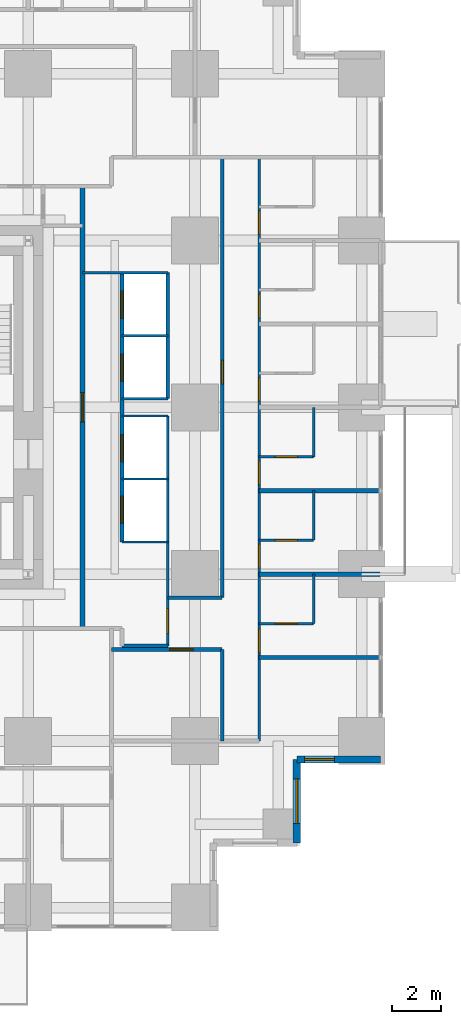
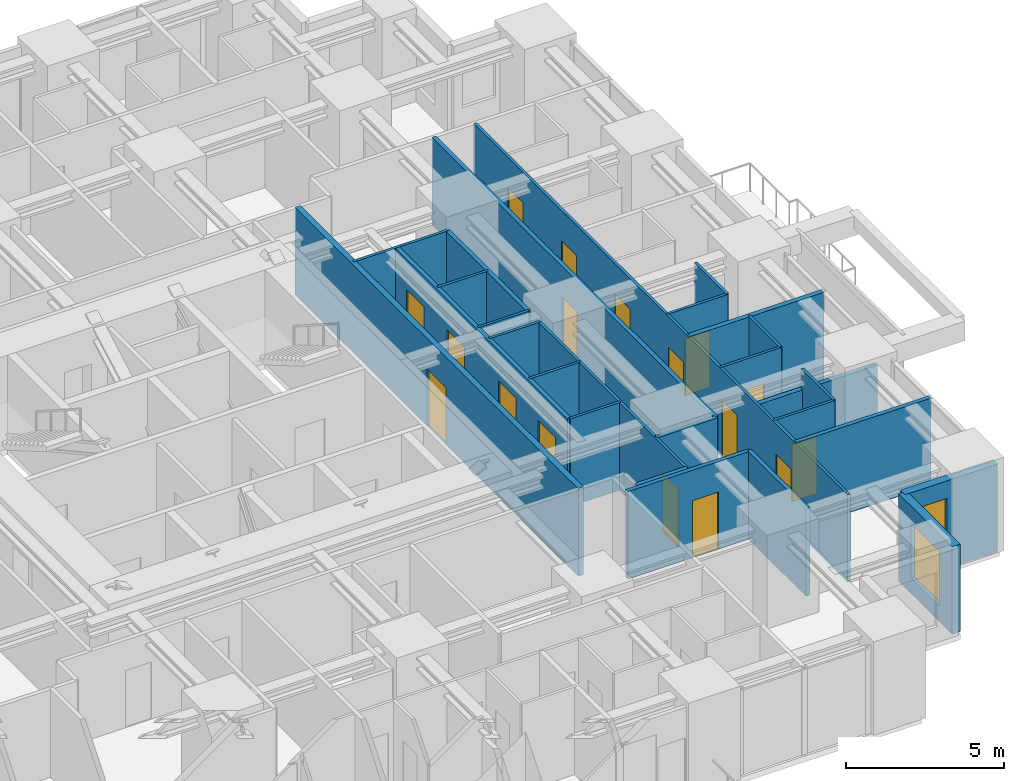
# One storey, part 11 of 15: 27 walls, 17 doors, 2 windows, 19 openings.
"""IFC4 building model written with IfcOpenShell, lengths in metres."""

import ifcopenshell
import ifcopenshell.guid

model = None  # the IFC model being written
_history = None  # IfcOwnerHistory: only IFC2X3 demands one
_inside = {}  # id of a spatial element -> (the spatial element, [elements in it])
_under = {}  # id of a project, library or spatial element -> (it, [spatial elements below it])
_declared = {}  # id of a project -> (the project, [libraries it declares])
_typed = {}  # id of a type object -> (the type object, [elements of that type])
_made_of = {}  # id of a material, layer set ... -> (it, [elements and type objects made of it])


def new_model(schema):
    """Start an empty IFC model of exactly this schema.

    Asked for "IFC4X3", IfcOpenShell would pick the latest addendum, in which some entities
    have other attributes; the version numbers below select the first issue.
    IFC2X3 requires an IfcOwnerHistory on every rooted entity: one is made here for all.
    """
    global model, _history
    if schema == "IFC4X3":
        model = ifcopenshell.file(schema_version=(4, 3, 0, 0))
    else:
        model = ifcopenshell.file(schema=schema)
    _inside.clear()
    _under.clear()
    _declared.clear()
    _typed.clear()
    _made_of.clear()
    _history = None
    if model.schema == "IFC2X3":
        org = make("IfcOrganization", Name="unknown")
        user = make(
            "IfcPersonAndOrganization",
            ThePerson=make("IfcPerson", FamilyName="unknown"),
            TheOrganization=org,
        )
        app = make(
            "IfcApplication",
            ApplicationDeveloper=org,
            Version="unknown",
            ApplicationFullName="unknown",
            ApplicationIdentifier="unknown",
        )
        _history = make(
            "IfcOwnerHistory",
            OwningUser=user,
            OwningApplication=app,
            ChangeAction="ADDED",
            CreationDate=0,
        )
    return model


def make(cls, **values):
    """One entity of the class cls with the attributes given. An attribute that is None is left unset."""
    return model.create_entity(
        cls, **{name: value for name, value in values.items() if value is not None}
    )


def rooted(cls, **values):
    """An entity with a GlobalId (a new one), such as an element, a storey or a relation."""
    return make(cls, GlobalId=ifcopenshell.guid.new(), OwnerHistory=_history, **values)


def si_unit(unit_type, name, prefix=None):
    """IfcSIUnit, for example si_unit("LENGTHUNIT", "METRE", prefix="MILLI")."""
    return make("IfcSIUnit", UnitType=unit_type, Prefix=prefix, Name=name)


def assignment(units):
    """IfcUnitAssignment: the units of a project."""
    return None if units is None else make("IfcUnitAssignment", Units=units)


def point(xyz):
    """IfcCartesianPoint."""
    return None if xyz is None else make("IfcCartesianPoint", Coordinates=xyz)


def direction(xyz):
    """IfcDirection."""
    return None if xyz is None else make("IfcDirection", DirectionRatios=xyz)


def frame(location, z_axis=None, x_axis=None):
    """IfcAxis2Placement3D, a coordinate frame: its origin and axes. An axis left out is left unset."""
    return make(
        "IfcAxis2Placement3D",
        Location=point(location),
        Axis=direction(z_axis),
        RefDirection=direction(x_axis),
    )


def frame_2d(location, x_axis=None):
    """IfcAxis2Placement2D, a coordinate frame in the plane: its origin and x axis."""
    return make(
        "IfcAxis2Placement2D", Location=point(location), RefDirection=direction(x_axis)
    )


def origin():
    """The frame at (0, 0, 0) with its axes left unset."""
    return frame((0.0, 0.0, 0.0))


def place(relative_to, where):
    """IfcLocalPlacement: puts the frame where relative to a parent placement (None: the world)."""
    return make(
        "IfcLocalPlacement", PlacementRelTo=relative_to, RelativePlacement=where
    )


def context(
    kind, dimensions, precision=None, world=None, true_north=None, identifier=None
):
    """IfcGeometricRepresentationContext, for example the 3D "Model" context."""
    return make(
        "IfcGeometricRepresentationContext",
        ContextIdentifier=identifier,
        ContextType=kind,
        CoordinateSpaceDimension=dimensions,
        Precision=precision,
        WorldCoordinateSystem=world,
        TrueNorth=true_north,
    )


def subcontext(parent, identifier, kind, view, scale=None):
    """IfcGeometricRepresentationSubContext, for example "Body" below "Model"."""
    return make(
        "IfcGeometricRepresentationSubContext",
        ContextIdentifier=identifier,
        ContextType=kind,
        ParentContext=parent,
        TargetScale=scale,
        TargetView=view,
    )


def project(units=None, contexts=None):
    """IfcProject with its units and contexts."""
    return rooted(
        "IfcProject",
        Name="project",
        RepresentationContexts=contexts,
        UnitsInContext=assignment(units),
    )


def spatial(cls, under=None, at=None, **own):
    """A site, building, storey or space (cls), placed at a placement, below another one or the project."""
    s = rooted(cls, ObjectPlacement=at, **own)
    if under is not None:
        _under.setdefault(under.id(), (under, []))[1].append(s)
    return s


def profile(cls, at=None, kind="AREA", **sizes):
    """A parametric profile (cls). Its sizes go by their IFC names, for example OverallWidth=200.0."""
    return make(cls, ProfileType=kind, Position=at, **sizes)


def rectangle(**sizes):
    """IfcRectangleProfileDef."""
    return profile("IfcRectangleProfileDef", **sizes)


def extrude(swept, where, along, depth):
    """IfcExtrudedAreaSolid: the profile swept, set in the frame where, extruded along a direction by depth."""
    return make(
        "IfcExtrudedAreaSolid",
        SweptArea=swept,
        Position=where,
        ExtrudedDirection=direction(along),
        Depth=depth,
    )


def shape(context_of_items, identifier, shape_type, items):
    """IfcShapeRepresentation: the items that make up one representation, for example the "Body"."""
    return make(
        "IfcShapeRepresentation",
        ContextOfItems=context_of_items,
        RepresentationIdentifier=identifier,
        RepresentationType=shape_type,
        Items=items,
    )


def material(Name=None, Category=None):
    """IfcMaterial."""
    return make("IfcMaterial", Name=Name, Category=Category)


def layer(
    of_material, thickness, ventilated=None, Name=None, Category=None, Priority=None
):
    """IfcMaterialLayer: one layer of a wall or slab, of a material (None: an air gap)."""
    return make(
        "IfcMaterialLayer",
        Material=of_material,
        LayerThickness=thickness,
        IsVentilated=ventilated,
        Name=Name,
        Category=Category,
        Priority=Priority,
    )


def layer_set(layers, Name=None):
    """IfcMaterialLayerSet."""
    return make("IfcMaterialLayerSet", MaterialLayers=layers, LayerSetName=Name)


def made_of(thing, what):
    """Note that an element or type object is made of a material, layer set ...; save() writes the relation."""
    if what is not None:
        _made_of.setdefault(what.id(), (what, []))[1].append(thing)
    return thing


def type_object(cls, material=None, **own):
    """A type object (cls), such as IfcWallType, which elements share."""
    return made_of(rooted(cls, **own), material)


def element(
    cls,
    number,
    at=None,
    inside=None,
    cuts=None,
    type_object=None,
    material=None,
    context=None,
    identifier="Body",
    shape_type=None,
    held_by="IfcProductDefinitionShape",
    body=None,
    shapes=None,
    **own,
):
    """One element of the class cls, such as IfcWall. Its Tag is "e" and its number.

    at: its placement. inside: the storey or other place that contains it. cuts: it is an
    opening in that element (IfcRelVoidsElement). A single representation is given by context,
    identifier, shape_type and body (its items); several are given by shapes. held_by: the class
    of the entity that holds the representations. save() writes the other relations.
    """
    e = rooted(cls, Tag="e%d" % number, ObjectPlacement=at, **own)
    if body is not None:
        shapes = [shape(context, identifier, shape_type, body)]
    if shapes is not None:
        e.Representation = make(held_by, Representations=shapes)
    if inside is not None:
        _inside.setdefault(inside.id(), (inside, []))[1].append(e)
    if cuts is not None:
        rooted(
            "IfcRelVoidsElement", RelatingBuildingElement=cuts, RelatedOpeningElement=e
        )
    if type_object is not None:
        _typed.setdefault(type_object.id(), (type_object, []))[1].append(e)
    return made_of(e, material)


def fill(opening, filler):
    """IfcRelFillsElement: the door or window that sits in an opening."""
    return rooted(
        "IfcRelFillsElement",
        RelatingOpeningElement=opening,
        RelatedBuildingElement=filler,
    )


def aggregate(whole, parts):
    """IfcRelAggregates: a whole, such as a stair, and the parts it consists of."""
    return rooted("IfcRelAggregates", RelatingObject=whole, RelatedObjects=parts)


def save(model, path):
    """Write the relations noted so far, then the file.

    IfcRelAggregates (storeys below a building ...), IfcRelContainedInSpatialStructure (elements
    in a storey), IfcRelDefinesByType, IfcRelAssociatesMaterial and IfcRelDeclares: one each for
    every whole, place, type object, material and project.
    """
    for whole, parts in _under.values():
        aggregate(whole, parts)
    for where, things in _inside.values():
        rooted(
            "IfcRelContainedInSpatialStructure",
            RelatedElements=things,
            RelatingStructure=where,
        )
    for kind, things in _typed.values():
        rooted("IfcRelDefinesByType", RelatedObjects=things, RelatingType=kind)
    for what, things in _made_of.values():
        rooted("IfcRelAssociatesMaterial", RelatedObjects=things, RelatingMaterial=what)
    for by, libraries in _declared.values():
        rooted("IfcRelDeclares", RelatingContext=by, RelatedDefinitions=libraries)
    model.write(path)


model = new_model("IFC4")

# Units and contexts
model_context = context("Model", 3, precision=1e-05, world=origin(), true_north=direction((0.0, 1.0)))
body_context = subcontext(model_context, "Body", "Model", "MODEL_VIEW")
ifc_project = project(units=[si_unit("LENGTHUNIT", "METRE"), si_unit("AREAUNIT", "SQUARE_METRE"), si_unit("VOLUMEUNIT", "CUBIC_METRE"), si_unit("PLANEANGLEUNIT", "RADIAN"), si_unit("MASSUNIT", "GRAM", prefix="KILO")], contexts=[model_context])

# Site, building, storey
site_placement = place(None, origin())
site = spatial("IfcSite", under=ifc_project, at=site_placement, CompositionType="ELEMENT")
building_placement = place(site_placement, origin())
building = spatial("IfcBuilding", under=site, at=building_placement, Name="Nyansa Garden Tower", CompositionType="ELEMENT")
storey_placement = place(building_placement, frame((0.0, 0.0, 36.0)))
storey = spatial("IfcBuildingStorey", under=building, at=storey_placement, Name="L09", CompositionType="ELEMENT", Elevation=36.0)

# Walls
ifc_material_1 = material(Name="Dense blockwork, plastered both sides, 55 dB", Category="masonry")
ifc_layer_1 = layer(ifc_material_1, 0.175048828125)
ifc_layer_set_1 = layer_set([ifc_layer_1], Name="Acoustic party wall PW175")
wall_type_1 = type_object("IfcWallType", Name="Acoustic party wall PW175", PredefinedType="PARTITIONING", material=ifc_layer_set_1)
wall_1_placement = place(storey_placement, frame((36.35009765625, 13.5, 0.0), z_axis=(0.0, 0.0, 1.0), x_axis=(1.0, 0.0, 0.0)))
element("IfcWall", 1, at=wall_1_placement, inside=storey, type_object=wall_type_1, Name="Party wall", PredefinedType="PARTITIONING", context=body_context, shape_type="SweptSolid", body=[
    extrude(rectangle(XDim=4.8837890625, YDim=0.175048828125, at=frame_2d((2.44189453125, 0.0))), origin(), (0.0, 0.0, 1.0), 2.610107421875),
])
wall_2_placement = place(storey_placement, frame((36.35009765625, 16.875, 0.0), z_axis=(0.0, 0.0, 1.0), x_axis=(1.0, 0.0, 0.0)))
element("IfcWall", 2, at=wall_2_placement, inside=storey, type_object=wall_type_1, Name="Party wall", PredefinedType="PARTITIONING", context=body_context, shape_type="SweptSolid", body=[
    extrude(rectangle(XDim=4.8837890625, YDim=0.175048828125, at=frame_2d((2.44189453125, 0.0))), origin(), (0.0, 0.0, 1.0), 3.375),
])

# Wall, opening, door
ifc_material_2 = material(Name="Concrete blockwork, plastered, 60 minute fire resisting", Category="masonry")
ifc_layer_2 = layer(ifc_material_2, 0.199951171875)
ifc_layer_set_2 = layer_set([ifc_layer_2], Name="Corridor wall FW200")
wall_type_2 = type_object("IfcWallType", Name="Corridor wall FW200", PredefinedType="PARTITIONING", material=ifc_layer_set_2)
wall_3_placement = place(storey_placement, frame((29.199951171875, 11.300048828125, 0.0), z_axis=(0.0, 0.0, 1.0), x_axis=(0.0, 1.0, 0.0)))
wall_3 = element("IfcWall", 3, at=wall_3_placement, inside=storey, type_object=wall_type_2, Name="Corridor wall", PredefinedType="PARTITIONING", context=body_context, shape_type="SweptSolid", body=[
    extrude(rectangle(XDim=17.89990234375, YDim=0.199951171875, at=frame_2d((8.949951171875, 0.0))), origin(), (0.0, 0.0, 1.0), 3.375),
])
opening_1_placement = place(wall_3_placement, frame((8.35009765625, 0.0, 0.0)))
opening_1 = element("IfcOpeningElement", 4, at=opening_1_placement, cuts=wall_3, Name="Opening D06", PredefinedType="OPENING", context=body_context, shape_type="SweptSolid", body=[
    extrude(rectangle(XDim=1.199951171875, YDim=2.199951171875, at=frame_2d((0.60009765625, 1.10009765625))), frame((0.0, 0.10986328125, 0.0), z_axis=(0.0, -1.0, 0.0), x_axis=(1.0, 0.0, 0.0)), (0.0, 0.0, 1.0), 0.219970703125),
])
ifc_material_3 = material(Name="Steel door, 120 minute fire resisting", Category="steel")
door_type_1 = type_object("IfcDoorType", Name="Lobby door D06 1200x2200", OperationType="DOUBLE_DOOR_SINGLE_SWING", PredefinedType="DOOR", material=ifc_material_3)
door_1_placement = place(opening_1_placement, origin())
door_1 = element("IfcDoor", 5, at=door_1_placement, inside=storey, type_object=door_type_1, Name="Low-rise lift lobby door", OperationType="DOUBLE_DOOR_SINGLE_SWING", OverallHeight=2.199951171875, OverallWidth=1.199951171875, PredefinedType="DOOR", context=body_context, shape_type="SweptSolid", body=[
    extrude(rectangle(XDim=1.199951171875, YDim=2.199951171875, at=frame_2d((0.60009765625, 1.10009765625))), frame((0.0, 0.02490234375, 0.0), z_axis=(0.0, -1.0, 0.0), x_axis=(1.0, 0.0, 0.0)), (0.0, 0.0, 1.0), 0.050048828125),
])
fill(opening_1, door_1)

# Walls
ifc_material_4 = material(Name="Steel-stud shaft wall, two layers fire-rated board, EI 120", Category="steel")
ifc_layer_3 = layer(ifc_material_4, 0.10009765625)
ifc_layer_set_3 = layer_set([ifc_layer_3], Name="Lift shaft wall SW100")
wall_type_3 = type_object("IfcWallType", Name="Lift shaft wall SW100", PredefinedType="SHEAR", material=ifc_layer_set_3)
wall_4_placement = place(storey_placement, frame((29.199951171875, 25.699951171875, 0.0), z_axis=(0.0, 0.0, 1.0), x_axis=(1.0, 0.0, 0.0)))
element("IfcWall", 6, at=wall_4_placement, inside=storey, type_object=wall_type_3, Name="Lift shaft wall", PredefinedType="SHEAR", context=body_context, shape_type="SweptSolid", body=[
    extrude(rectangle(XDim=3.449951171875, YDim=0.10009765625, at=frame_2d((1.72509765625, 0.0))), origin(), (0.0, 0.0, 1.0), 3.375),
])
for number, where, z_axis, x_axis, name in (
    (7, (30.800048828125, 14.800048828125, 0.0), (0.0, 0.0, 1.0), (1.0, 0.0, 0.0), "Lift shaft wall"),
    (8, (30.800048828125, 17.35009765625, 0.0), (0.0, 0.0, 1.0), (1.0, 0.0, 0.0), "Lift shaft wall"),
    (9, (30.800048828125, 19.89990234375, 0.0), (0.0, 0.0, 1.0), (1.0, 0.0, 0.0), "Lift shaft wall"),
    (10, (30.800048828125, 20.60009765625, 0.0), (0.0, 0.0, 1.0), (1.0, 0.0, 0.0), "Lift shaft wall"),
    (11, (30.800048828125, 23.14990234375, 0.0), (0.0, 0.0, 1.0), (1.0, 0.0, 0.0), "Lift shaft wall"),
):
    element("IfcWall", number, at=place(storey_placement, frame(where, z_axis=z_axis, x_axis=x_axis)), inside=storey, type_object=wall_type_3, Name=name, PredefinedType="SHEAR", context=body_context, shape_type="SweptSolid", body=[
        extrude(rectangle(XDim=1.849853515625, YDim=0.10009765625, at=frame_2d((0.9248046875, 0.0))), origin(), (0.0, 0.0, 1.0), 3.375),
    ])

# Wall, opening, door
wall_5_placement = place(storey_placement, frame((32.64990234375, 10.60009765625, 0.0), z_axis=(0.0, 0.0, 1.0), x_axis=(0.0, 1.0, 0.0)))
wall_5 = element("IfcWall", 12, at=wall_5_placement, inside=storey, type_object=wall_type_3, Name="Lift shaft wall", PredefinedType="SHEAR", context=body_context, shape_type="SweptSolid", body=[
    extrude(rectangle(XDim=9.2998046875, YDim=0.10009765625, at=frame_2d((4.64990234375, 0.0))), origin(), (0.0, 0.0, 1.0), 3.375),
])
opening_2_placement = place(wall_5_placement, frame((0.5, 0.0, 0.0)))
opening_2 = element("IfcOpeningElement", 13, at=opening_2_placement, cuts=wall_5, Name="Opening D03", PredefinedType="OPENING", context=body_context, shape_type="SweptSolid", body=[
    extrude(rectangle(XDim=1.0, YDim=2.199951171875, at=frame_2d((0.5, 1.10009765625))), frame((0.0, 0.06005859375, 0.0), z_axis=(0.0, -1.0, 0.0), x_axis=(1.0, 0.0, 0.0)), (0.0, 0.0, 1.0), 0.1201171875),
])
ifc_material_5 = material(Name="Timber flush door, 60 minute fire resisting", Category="wood")
door_type_2 = type_object("IfcDoorType", Name="Cluster entrance door D03 1000x2200", OperationType="SINGLE_SWING_LEFT", PredefinedType="DOOR", material=ifc_material_5)
door_2_placement = place(opening_2_placement, origin())
door_2 = element("IfcDoor", 14, at=door_2_placement, inside=storey, type_object=door_type_2, Name="Door L09-051", OperationType="SINGLE_SWING_LEFT", OverallHeight=2.199951171875, OverallWidth=1.0, PredefinedType="DOOR", context=body_context, shape_type="SweptSolid", body=[
    extrude(rectangle(XDim=1.0, YDim=2.199951171875, at=frame_2d((0.5, 1.10009765625))), frame((0.0, 0.02490234375, 0.0), z_axis=(0.0, -1.0, 0.0), x_axis=(1.0, 0.0, 0.0)), (0.0, 0.0, 1.0), 0.050048828125),
])
fill(opening_2, door_2)

ifc_material_6 = material(Name="Blockwork, plastered both sides", Category="masonry")
ifc_layer_4 = layer(ifc_material_6, 0.14990234375)
ifc_layer_set_4 = layer_set([ifc_layer_4], Name="Partition PW150")
wall_type_4 = type_object("IfcWallType", Name="Partition PW150", PredefinedType="PARTITIONING", material=ifc_layer_set_4)
wall_6_placement = place(storey_placement, frame((30.375, 10.449951171875, 0.0), z_axis=(0.0, 0.0, 1.0), x_axis=(1.0, 0.0, 0.0)))
wall_6 = element("IfcWall", 15, at=wall_6_placement, inside=storey, type_object=wall_type_4, Name="Partition", PredefinedType="PARTITIONING", context=body_context, shape_type="SweptSolid", body=[
    extrude(rectangle(XDim=4.47509765625, YDim=0.14990234375, at=frame_2d((2.237548828125, 0.0))), origin(), (0.0, 0.0, 1.0), 3.375),
])
opening_3_placement = place(wall_6_placement, frame((2.35009765625, 0.0, 0.0)))
opening_3 = element("IfcOpeningElement", 16, at=opening_3_placement, cuts=wall_6, Name="Opening D01", PredefinedType="OPENING", context=body_context, shape_type="SweptSolid", body=[
    extrude(rectangle(XDim=0.949951171875, YDim=2.199951171875, at=frame_2d((0.47509765625, 1.10009765625))), frame((0.0, 0.0849609375, 0.0), z_axis=(0.0, -1.0, 0.0), x_axis=(1.0, 0.0, 0.0)), (0.0, 0.0, 1.0), 0.169921875),
])
ifc_material_7 = material(Name="Timber flush door, 30 minute fire resisting", Category="wood")
door_type_3 = type_object("IfcDoorType", Name="Bedroom door D01 950x2200", OperationType="SINGLE_SWING_LEFT", PredefinedType="DOOR", material=ifc_material_7)
door_3_placement = place(opening_3_placement, origin())
door_3 = element("IfcDoor", 17, at=door_3_placement, inside=storey, type_object=door_type_3, Name="Door L09-053", OperationType="SINGLE_SWING_LEFT", OverallHeight=2.199951171875, OverallWidth=0.949951171875, PredefinedType="DOOR", context=body_context, shape_type="SweptSolid", body=[
    extrude(rectangle(XDim=0.949951171875, YDim=2.199951171875, at=frame_2d((0.47509765625, 1.10009765625))), frame((0.0, 0.02490234375, 0.0), z_axis=(0.0, -1.0, 0.0), x_axis=(1.0, 0.0, 0.0)), (0.0, 0.0, 1.0), 0.050048828125),
])
fill(opening_3, door_3)

# Wall
wall_7_placement = place(storey_placement, frame((30.800048828125, 10.60009765625, 0.0), z_axis=(0.0, 0.0, 1.0), x_axis=(1.0, 0.0, 0.0)))
element("IfcWall", 18, at=wall_7_placement, inside=storey, type_object=wall_type_4, Name="Partition", PredefinedType="PARTITIONING", context=body_context, shape_type="SweptSolid", body=[
    extrude(rectangle(XDim=1.849853515625, YDim=0.14990234375, at=frame_2d((0.9248046875, 0.0))), origin(), (0.0, 0.0, 1.0), 3.375),
])

# Wall, openings, doors
wall_8_placement = place(storey_placement, frame((30.800048828125, 14.800048828125, 0.0), z_axis=(0.0, 0.0, 1.0), x_axis=(0.0, 1.0, 0.0)))
wall_8 = element("IfcWall", 19, at=wall_8_placement, inside=storey, type_object=wall_type_4, Name="Partition", PredefinedType="PARTITIONING", context=body_context, shape_type="SweptSolid", body=[
    extrude(rectangle(XDim=10.89990234375, YDim=0.14990234375, at=frame_2d((5.449951171875, 0.0))), origin(), (0.0, 0.0, 1.0), 3.375),
])
opening_4_placement = place(wall_8_placement, frame((0.75, 0.0, 0.0)))
opening_4 = element("IfcOpeningElement", 20, at=opening_4_placement, cuts=wall_8, Name="Opening LD-A", PredefinedType="OPENING", context=body_context, shape_type="SweptSolid", body=[
    extrude(rectangle(XDim=1.10009765625, YDim=2.199951171875, at=frame_2d((0.550048828125, 1.10009765625))), frame((0.0, 0.0849609375, 0.0), z_axis=(0.0, -1.0, 0.0), x_axis=(1.0, 0.0, 0.0)), (0.0, 0.0, 1.0), 0.169921875),
])
opening_5_placement = place(wall_8_placement, frame((3.25, 0.0, 0.0)))
opening_5 = element("IfcOpeningElement", 21, at=opening_5_placement, cuts=wall_8, Name="Opening LD-A", PredefinedType="OPENING", context=body_context, shape_type="SweptSolid", body=[
    extrude(rectangle(XDim=1.10009765625, YDim=2.199951171875, at=frame_2d((0.550048828125, 1.10009765625))), frame((0.0, 0.0849609375, 0.0), z_axis=(0.0, -1.0, 0.0), x_axis=(1.0, 0.0, 0.0)), (0.0, 0.0, 1.0), 0.169921875),
])
opening_6_placement = place(wall_8_placement, frame((6.5, 0.0, 0.0)))
opening_6 = element("IfcOpeningElement", 22, at=opening_6_placement, cuts=wall_8, Name="Opening LD-A", PredefinedType="OPENING", context=body_context, shape_type="SweptSolid", body=[
    extrude(rectangle(XDim=1.10009765625, YDim=2.199951171875, at=frame_2d((0.550048828125, 1.10009765625))), frame((0.0, 0.0849609375, 0.0), z_axis=(0.0, -1.0, 0.0), x_axis=(1.0, 0.0, 0.0)), (0.0, 0.0, 1.0), 0.169921875),
])
opening_7_placement = place(wall_8_placement, frame((9.050048828125, 0.0, 0.0)))
opening_7 = element("IfcOpeningElement", 23, at=opening_7_placement, cuts=wall_8, Name="Opening LD-A", PredefinedType="OPENING", context=body_context, shape_type="SweptSolid", body=[
    extrude(rectangle(XDim=1.10009765625, YDim=2.199951171875, at=frame_2d((0.550048828125, 1.10009765625))), frame((0.0, 0.0849609375, 0.0), z_axis=(0.0, -1.0, 0.0), x_axis=(1.0, 0.0, 0.0)), (0.0, 0.0, 1.0), 0.169921875),
])
ifc_material_8 = material(Name="Stainless steel centre-opening landing door of the low-rise lift, E 120", Category="steel")
door_type_4 = type_object("IfcDoorType", Name="Lift landing door LD-A 1100x2200", OperationType="DOUBLE_DOOR_SLIDING", PredefinedType="DOOR", material=ifc_material_8)
door_4_placement = place(opening_4_placement, origin())
door_4 = element("IfcDoor", 24, at=door_4_placement, inside=storey, type_object=door_type_4, Name="Landing door A1", OperationType="DOUBLE_DOOR_SLIDING", OverallHeight=2.199951171875, OverallWidth=1.10009765625, PredefinedType="DOOR", context=body_context, shape_type="SweptSolid", body=[
    extrude(rectangle(XDim=1.10009765625, YDim=2.199951171875, at=frame_2d((0.550048828125, 1.10009765625))), frame((0.0, 0.02490234375, 0.0), z_axis=(0.0, -1.0, 0.0), x_axis=(1.0, 0.0, 0.0)), (0.0, 0.0, 1.0), 0.050048828125),
])
fill(opening_4, door_4)
door_5_placement = place(opening_5_placement, origin())
door_5 = element("IfcDoor", 25, at=door_5_placement, inside=storey, type_object=door_type_4, Name="Landing door A2", OperationType="DOUBLE_DOOR_SLIDING", OverallHeight=2.199951171875, OverallWidth=1.10009765625, PredefinedType="DOOR", context=body_context, shape_type="SweptSolid", body=[
    extrude(rectangle(XDim=1.10009765625, YDim=2.199951171875, at=frame_2d((0.550048828125, 1.10009765625))), frame((0.0, 0.02490234375, 0.0), z_axis=(0.0, -1.0, 0.0), x_axis=(1.0, 0.0, 0.0)), (0.0, 0.0, 1.0), 0.050048828125),
])
fill(opening_5, door_5)
door_6_placement = place(opening_6_placement, origin())
door_6 = element("IfcDoor", 26, at=door_6_placement, inside=storey, type_object=door_type_4, Name="Landing door A3", OperationType="DOUBLE_DOOR_SLIDING", OverallHeight=2.199951171875, OverallWidth=1.10009765625, PredefinedType="DOOR", context=body_context, shape_type="SweptSolid", body=[
    extrude(rectangle(XDim=1.10009765625, YDim=2.199951171875, at=frame_2d((0.550048828125, 1.10009765625))), frame((0.0, 0.02490234375, 0.0), z_axis=(0.0, -1.0, 0.0), x_axis=(1.0, 0.0, 0.0)), (0.0, 0.0, 1.0), 0.050048828125),
])
fill(opening_6, door_6)
door_7_placement = place(opening_7_placement, origin())
door_7 = element("IfcDoor", 27, at=door_7_placement, inside=storey, type_object=door_type_4, Name="Landing door A4", OperationType="DOUBLE_DOOR_SLIDING", OverallHeight=2.199951171875, OverallWidth=1.10009765625, PredefinedType="DOOR", context=body_context, shape_type="SweptSolid", body=[
    extrude(rectangle(XDim=1.10009765625, YDim=2.199951171875, at=frame_2d((0.550048828125, 1.10009765625))), frame((0.0, 0.02490234375, 0.0), z_axis=(0.0, -1.0, 0.0), x_axis=(1.0, 0.0, 0.0)), (0.0, 0.0, 1.0), 0.050048828125),
])
fill(opening_7, door_7)

# Walls
wall_9_placement = place(storey_placement, frame((32.64990234375, 12.550048828125, 0.0), z_axis=(0.0, 0.0, 1.0), x_axis=(1.0, 0.0, 0.0)))
element("IfcWall", 28, at=wall_9_placement, inside=storey, type_object=wall_type_4, Name="Partition", PredefinedType="PARTITIONING", context=body_context, shape_type="SweptSolid", body=[
    extrude(rectangle(XDim=2.2001953125, YDim=0.14990234375, at=frame_2d((1.10009765625, 0.0))), origin(), (0.0, 0.0, 1.0), 3.375),
])
wall_10_placement = place(storey_placement, frame((32.64990234375, 20.60009765625, 0.0), z_axis=(0.0, 0.0, 1.0), x_axis=(0.0, 1.0, 0.0)))
element("IfcWall", 29, at=wall_10_placement, inside=storey, type_object=wall_type_4, Name="Partition", PredefinedType="PARTITIONING", context=body_context, shape_type="SweptSolid", body=[
    extrude(rectangle(XDim=5.099853515625, YDim=0.14990234375, at=frame_2d((2.5498046875, 0.0))), origin(), (0.0, 0.0, 1.0), 3.375),
])
wall_11_placement = place(storey_placement, frame((34.85009765625, 6.75, 0.0), z_axis=(0.0, 0.0, 1.0), x_axis=(0.0, 1.0, 0.0)))
element("IfcWall", 30, at=wall_11_placement, inside=storey, type_object=wall_type_4, Name="Partition", PredefinedType="PARTITIONING", context=body_context, shape_type="SweptSolid", body=[
    extrude(rectangle(XDim=3.699951171875, YDim=0.14990234375, at=frame_2d((1.85009765625, 0.0))), origin(), (0.0, 0.0, 1.0), 3.375),
])

# Wall, opening, door
wall_12_placement = place(storey_placement, frame((34.85009765625, 12.550048828125, 0.0), z_axis=(0.0, 0.0, 1.0), x_axis=(0.0, 1.0, 0.0)))
wall_12 = element("IfcWall", 31, at=wall_12_placement, inside=storey, type_object=wall_type_4, Name="Partition", PredefinedType="PARTITIONING", context=body_context, shape_type="SweptSolid", body=[
    extrude(rectangle(XDim=17.824951171875, YDim=0.14990234375, at=frame_2d((8.91259765625, 0.0))), origin(), (0.0, 0.0, 1.0), 3.375),
])
opening_8_placement = place(wall_12_placement, frame((8.64990234375, 0.0, 0.0)))
opening_8 = element("IfcOpeningElement", 32, at=opening_8_placement, cuts=wall_12, Name="Opening D01", PredefinedType="OPENING", context=body_context, shape_type="SweptSolid", body=[
    extrude(rectangle(XDim=0.949951171875, YDim=2.199951171875, at=frame_2d((0.47509765625, 1.10009765625))), frame((0.0, 0.0849609375, 0.0), z_axis=(0.0, -1.0, 0.0), x_axis=(1.0, 0.0, 0.0)), (0.0, 0.0, 1.0), 0.169921875),
])
door_8_placement = place(opening_8_placement, origin())
door_8 = element("IfcDoor", 33, at=door_8_placement, inside=storey, type_object=door_type_3, Name="Door L09-052", OperationType="SINGLE_SWING_LEFT", OverallHeight=2.199951171875, OverallWidth=0.949951171875, PredefinedType="DOOR", context=body_context, shape_type="SweptSolid", body=[
    extrude(rectangle(XDim=0.949951171875, YDim=2.199951171875, at=frame_2d((0.47509765625, 1.10009765625))), frame((0.0, 0.02490234375, 0.0), z_axis=(0.0, -1.0, 0.0), x_axis=(1.0, 0.0, 0.0)), (0.0, 0.0, 1.0), 0.050048828125),
])
fill(opening_8, door_8)

# Wall
wall_13_placement = place(storey_placement, frame((36.35009765625, 10.125, 0.0), z_axis=(0.0, 0.0, 1.0), x_axis=(1.0, 0.0, 0.0)))
element("IfcWall", 34, at=wall_13_placement, inside=storey, type_object=wall_type_4, Name="Partition", PredefinedType="PARTITIONING", context=body_context, shape_type="SweptSolid", body=[
    extrude(rectangle(XDim=4.8837890625, YDim=0.14990234375, at=frame_2d((2.44189453125, 0.0))), origin(), (0.0, 0.0, 1.0), 3.375),
])

# Wall, opening, window
ifc_material_9 = material(Name="Turquoise glazed tile on concrete blockwork", Category="masonry")
ifc_layer_5 = layer(ifc_material_9, 0.300048828125)
ifc_layer_set_5 = layer_set([ifc_layer_5], Name="Tiled corner wall TW300")
wall_type_5 = type_object("IfcWallType", Name="Tiled corner wall TW300", PredefinedType="SOLIDWALL", material=ifc_layer_set_5)
wall_14_placement = place(storey_placement, frame((37.875, 2.625, 0.0), z_axis=(0.0, 0.0, 1.0), x_axis=(0.0, 1.0, 0.0)))
wall_14 = element("IfcWall", 35, at=wall_14_placement, inside=storey, type_object=wall_type_5, Name="Tiled corner wall L09", PredefinedType="SOLIDWALL", context=body_context, shape_type="SweptSolid", body=[
    extrude(rectangle(XDim=3.375, YDim=0.300048828125, at=frame_2d((1.6875, 0.0))), origin(), (0.0, 0.0, 1.0), 3.375),
])
opening_9_placement = place(wall_14_placement, frame((0.78759765625, 0.0, 0.60009765625)))
opening_9 = element("IfcOpeningElement", 36, at=opening_9_placement, cuts=wall_14, Name="Opening W2", PredefinedType="OPENING", context=body_context, shape_type="SweptSolid", body=[
    extrude(rectangle(XDim=1.800048828125, YDim=2.10009765625, at=frame_2d((0.89990234375, 1.050048828125))), frame((0.0, 0.159912109375, 0.0), z_axis=(0.0, -1.0, 0.0), x_axis=(1.0, 0.0, 0.0)), (0.0, 0.0, 1.0), 0.320068359375),
])
ifc_material_10 = material(Name="Black aluminium frame, dark tinted double glazing", Category="aluminium")
window_type_1 = type_object("IfcWindowType", Name="Window W2 1800x2100", PartitioningType="SINGLE_PANEL", PredefinedType="WINDOW", material=ifc_material_10)
window_1_placement = place(opening_9_placement, origin())
window_1 = element("IfcWindow", 37, at=window_1_placement, inside=storey, type_object=window_type_1, Name="Corner window L09", OverallHeight=2.10009765625, OverallWidth=1.800048828125, PartitioningType="SINGLE_PANEL", PredefinedType="WINDOW", context=body_context, shape_type="SweptSolid", body=[
    extrude(rectangle(XDim=1.800048828125, YDim=2.10009765625, at=frame_2d((0.89990234375, 1.050048828125))), frame((0.0, 0.030029296875, 0.0), z_axis=(0.0, -1.0, 0.0), x_axis=(1.0, 0.0, 0.0)), (0.0, 0.0, 1.0), 0.06005859375),
])
fill(opening_9, window_1)

wall_15_placement = place(storey_placement, frame((37.875, 6.0, 0.0), z_axis=(0.0, 0.0, 1.0), x_axis=(1.0, 0.0, 0.0)))
wall_15 = element("IfcWall", 38, at=wall_15_placement, inside=storey, type_object=wall_type_5, Name="Tiled corner wall L09", PredefinedType="SOLIDWALL", context=body_context, shape_type="SweptSolid", body=[
    extrude(rectangle(XDim=3.375, YDim=0.300048828125, at=frame_2d((1.6875, 0.0))), origin(), (0.0, 0.0, 1.0), 3.375),
])
opening_10_placement = place(wall_15_placement, frame((0.3173828125, 0.0, 0.89990234375)))
opening_10 = element("IfcOpeningElement", 39, at=opening_10_placement, cuts=wall_15, Name="Opening W4", PredefinedType="OPENING", context=body_context, shape_type="SweptSolid", body=[
    extrude(rectangle(XDim=1.199951171875, YDim=1.800048828125, at=frame_2d((0.60009765625, 0.89990234375))), frame((0.0, 0.159912109375, 0.0), z_axis=(0.0, -1.0, 0.0), x_axis=(1.0, 0.0, 0.0)), (0.0, 0.0, 1.0), 0.320068359375),
])
ifc_material_11 = material(Name="Black aluminium frame, dark tinted double glazing", Category="aluminium")
window_type_2 = type_object("IfcWindowType", Name="Window W4 1200x1800", PartitioningType="SINGLE_PANEL", PredefinedType="WINDOW", material=ifc_material_11)
window_2_placement = place(opening_10_placement, origin())
window_2 = element("IfcWindow", 40, at=window_2_placement, inside=storey, type_object=window_type_2, Name="Corner window L09", OverallHeight=1.800048828125, OverallWidth=1.199951171875, PartitioningType="SINGLE_PANEL", PredefinedType="WINDOW", context=body_context, shape_type="SweptSolid", body=[
    extrude(rectangle(XDim=1.199951171875, YDim=1.800048828125, at=frame_2d((0.60009765625, 0.89990234375))), frame((0.0, 0.030029296875, 0.0), z_axis=(0.0, -1.0, 0.0), x_axis=(1.0, 0.0, 0.0)), (0.0, 0.0, 1.0), 0.06005859375),
])
fill(opening_10, window_2)

# Wall, openings, doors
ifc_material_12 = material(Name="Moisture resistant board on steel studs, tiled", Category="steel")
ifc_layer_6 = layer(ifc_material_12, 0.10009765625)
ifc_layer_set_6 = layer_set([ifc_layer_6], Name="Wet wall PW100")
wall_type_6 = type_object("IfcWallType", Name="Wet wall PW100", PredefinedType="PARTITIONING", material=ifc_layer_set_6)
wall_16_placement = place(storey_placement, frame((36.35009765625, 6.75, 0.0), z_axis=(0.0, 0.0, 1.0), x_axis=(0.0, 1.0, 0.0)))
wall_16 = element("IfcWall", 41, at=wall_16_placement, inside=storey, type_object=wall_type_6, Name="Wet wall", PredefinedType="PARTITIONING", context=body_context, shape_type="SweptSolid", body=[
    extrude(rectangle(XDim=23.625, YDim=0.10009765625, at=frame_2d((11.8125, 0.0))), origin(), (0.0, 0.0, 1.0), 3.375),
])
opening_11_placement = place(wall_16_placement, frame((3.574951171875, 0.0, 0.0)))
opening_11 = element("IfcOpeningElement", 42, at=opening_11_placement, cuts=wall_16, Name="Opening D14", PredefinedType="OPENING", context=body_context, shape_type="SweptSolid", body=[
    extrude(rectangle(XDim=0.949951171875, YDim=2.199951171875, at=frame_2d((0.47509765625, 1.10009765625))), frame((0.0, 0.06005859375, 0.0), z_axis=(0.0, -1.0, 0.0), x_axis=(1.0, 0.0, 0.0)), (0.0, 0.0, 1.0), 0.1201171875),
])
opening_12_placement = place(wall_16_placement, frame((7.0, 0.0, 0.0)))
opening_12 = element("IfcOpeningElement", 43, at=opening_12_placement, cuts=wall_16, Name="Opening D14", PredefinedType="OPENING", context=body_context, shape_type="SweptSolid", body=[
    extrude(rectangle(XDim=0.949951171875, YDim=2.199951171875, at=frame_2d((0.47509765625, 1.10009765625))), frame((0.0, 0.06005859375, 0.0), z_axis=(0.0, -1.0, 0.0), x_axis=(1.0, 0.0, 0.0)), (0.0, 0.0, 1.0), 0.1201171875),
])
opening_13_placement = place(wall_16_placement, frame((10.375, 0.0, 0.0)))
opening_13 = element("IfcOpeningElement", 44, at=opening_13_placement, cuts=wall_16, Name="Opening D14", PredefinedType="OPENING", context=body_context, shape_type="SweptSolid", body=[
    extrude(rectangle(XDim=0.949951171875, YDim=2.199951171875, at=frame_2d((0.47509765625, 1.10009765625))), frame((0.0, 0.06005859375, 0.0), z_axis=(0.0, -1.0, 0.0), x_axis=(1.0, 0.0, 0.0)), (0.0, 0.0, 1.0), 0.1201171875),
])
opening_14_placement = place(wall_16_placement, frame((13.75, 0.0, 0.0)))
opening_14 = element("IfcOpeningElement", 45, at=opening_14_placement, cuts=wall_16, Name="Opening D14", PredefinedType="OPENING", context=body_context, shape_type="SweptSolid", body=[
    extrude(rectangle(XDim=0.949951171875, YDim=2.199951171875, at=frame_2d((0.47509765625, 1.10009765625))), frame((0.0, 0.06005859375, 0.0), z_axis=(0.0, -1.0, 0.0), x_axis=(1.0, 0.0, 0.0)), (0.0, 0.0, 1.0), 0.1201171875),
])
opening_15_placement = place(wall_16_placement, frame((17.125, 0.0, 0.0)))
opening_15 = element("IfcOpeningElement", 46, at=opening_15_placement, cuts=wall_16, Name="Opening D14", PredefinedType="OPENING", context=body_context, shape_type="SweptSolid", body=[
    extrude(rectangle(XDim=0.949951171875, YDim=2.199951171875, at=frame_2d((0.47509765625, 1.10009765625))), frame((0.0, 0.06005859375, 0.0), z_axis=(0.0, -1.0, 0.0), x_axis=(1.0, 0.0, 0.0)), (0.0, 0.0, 1.0), 0.1201171875),
])
opening_16_placement = place(wall_16_placement, frame((20.5, 0.0, 0.0)))
opening_16 = element("IfcOpeningElement", 47, at=opening_16_placement, cuts=wall_16, Name="Opening D14", PredefinedType="OPENING", context=body_context, shape_type="SweptSolid", body=[
    extrude(rectangle(XDim=0.949951171875, YDim=2.199951171875, at=frame_2d((0.47509765625, 1.10009765625))), frame((0.0, 0.06005859375, 0.0), z_axis=(0.0, -1.0, 0.0), x_axis=(1.0, 0.0, 0.0)), (0.0, 0.0, 1.0), 0.1201171875),
])
ifc_material_13 = material(Name="Timber flush door, 60 minute fire resisting, self-closing", Category="wood")
door_type_5 = type_object("IfcDoorType", Name="Studio entrance door D14 950x2200", OperationType="SINGLE_SWING_LEFT", PredefinedType="DOOR", material=ifc_material_13)
door_9_placement = place(opening_11_placement, origin())
door_9 = element("IfcDoor", 48, at=door_9_placement, inside=storey, type_object=door_type_5, Name="Door L09-039", OperationType="SINGLE_SWING_LEFT", OverallHeight=2.199951171875, OverallWidth=0.949951171875, PredefinedType="DOOR", context=body_context, shape_type="SweptSolid", body=[
    extrude(rectangle(XDim=0.949951171875, YDim=2.199951171875, at=frame_2d((0.47509765625, 1.10009765625))), frame((0.0, 0.02490234375, 0.0), z_axis=(0.0, -1.0, 0.0), x_axis=(1.0, 0.0, 0.0)), (0.0, 0.0, 1.0), 0.050048828125),
])
fill(opening_11, door_9)
door_10_placement = place(opening_12_placement, origin())
door_10 = element("IfcDoor", 49, at=door_10_placement, inside=storey, type_object=door_type_5, Name="Door L09-041", OperationType="SINGLE_SWING_LEFT", OverallHeight=2.199951171875, OverallWidth=0.949951171875, PredefinedType="DOOR", context=body_context, shape_type="SweptSolid", body=[
    extrude(rectangle(XDim=0.949951171875, YDim=2.199951171875, at=frame_2d((0.47509765625, 1.10009765625))), frame((0.0, 0.02490234375, 0.0), z_axis=(0.0, -1.0, 0.0), x_axis=(1.0, 0.0, 0.0)), (0.0, 0.0, 1.0), 0.050048828125),
])
fill(opening_12, door_10)
door_11_placement = place(opening_13_placement, origin())
door_11 = element("IfcDoor", 50, at=door_11_placement, inside=storey, type_object=door_type_5, Name="Door L09-043", OperationType="SINGLE_SWING_LEFT", OverallHeight=2.199951171875, OverallWidth=0.949951171875, PredefinedType="DOOR", context=body_context, shape_type="SweptSolid", body=[
    extrude(rectangle(XDim=0.949951171875, YDim=2.199951171875, at=frame_2d((0.47509765625, 1.10009765625))), frame((0.0, 0.02490234375, 0.0), z_axis=(0.0, -1.0, 0.0), x_axis=(1.0, 0.0, 0.0)), (0.0, 0.0, 1.0), 0.050048828125),
])
fill(opening_13, door_11)
door_12_placement = place(opening_14_placement, origin())
door_12 = element("IfcDoor", 51, at=door_12_placement, inside=storey, type_object=door_type_5, Name="Door L09-045", OperationType="SINGLE_SWING_LEFT", OverallHeight=2.199951171875, OverallWidth=0.949951171875, PredefinedType="DOOR", context=body_context, shape_type="SweptSolid", body=[
    extrude(rectangle(XDim=0.949951171875, YDim=2.199951171875, at=frame_2d((0.47509765625, 1.10009765625))), frame((0.0, 0.02490234375, 0.0), z_axis=(0.0, -1.0, 0.0), x_axis=(1.0, 0.0, 0.0)), (0.0, 0.0, 1.0), 0.050048828125),
])
fill(opening_14, door_12)
door_13_placement = place(opening_15_placement, origin())
door_13 = element("IfcDoor", 52, at=door_13_placement, inside=storey, type_object=door_type_5, Name="Door L09-047", OperationType="SINGLE_SWING_LEFT", OverallHeight=2.199951171875, OverallWidth=0.949951171875, PredefinedType="DOOR", context=body_context, shape_type="SweptSolid", body=[
    extrude(rectangle(XDim=0.949951171875, YDim=2.199951171875, at=frame_2d((0.47509765625, 1.10009765625))), frame((0.0, 0.02490234375, 0.0), z_axis=(0.0, -1.0, 0.0), x_axis=(1.0, 0.0, 0.0)), (0.0, 0.0, 1.0), 0.050048828125),
])
fill(opening_15, door_13)
door_14_placement = place(opening_16_placement, origin())
door_14 = element("IfcDoor", 53, at=door_14_placement, inside=storey, type_object=door_type_5, Name="Door L09-049", OperationType="SINGLE_SWING_LEFT", OverallHeight=2.199951171875, OverallWidth=0.949951171875, PredefinedType="DOOR", context=body_context, shape_type="SweptSolid", body=[
    extrude(rectangle(XDim=0.949951171875, YDim=2.199951171875, at=frame_2d((0.47509765625, 1.10009765625))), frame((0.0, 0.02490234375, 0.0), z_axis=(0.0, -1.0, 0.0), x_axis=(1.0, 0.0, 0.0)), (0.0, 0.0, 1.0), 0.050048828125),
])
fill(opening_16, door_14)

# Wall, opening, door
wall_17_placement = place(storey_placement, frame((36.35009765625, 11.5, 0.0), z_axis=(0.0, 0.0, 1.0), x_axis=(1.0, 0.0, 0.0)))
wall_17 = element("IfcWall", 54, at=wall_17_placement, inside=storey, type_object=wall_type_6, Name="Wet wall", PredefinedType="PARTITIONING", context=body_context, shape_type="SweptSolid", body=[
    extrude(rectangle(XDim=2.199951171875, YDim=0.10009765625, at=frame_2d((1.10009765625, 0.0))), origin(), (0.0, 0.0, 1.0), 3.375),
])
opening_17_placement = place(wall_17_placement, frame((0.64990234375, 0.0, 0.0)))
opening_17 = element("IfcOpeningElement", 55, at=opening_17_placement, cuts=wall_17, Name="Opening D02", PredefinedType="OPENING", context=body_context, shape_type="SweptSolid", body=[
    extrude(rectangle(XDim=0.89990234375, YDim=2.199951171875, at=frame_2d((0.449951171875, 1.10009765625))), frame((0.0, 0.06005859375, 0.0), z_axis=(0.0, -1.0, 0.0), x_axis=(1.0, 0.0, 0.0)), (0.0, 0.0, 1.0), 0.1201171875),
])
ifc_material_14 = material(Name="Timber flush door", Category="wood")
door_type_6 = type_object("IfcDoorType", Name="En-suite door D02 900x2200", OperationType="SINGLE_SWING_RIGHT", PredefinedType="DOOR", material=ifc_material_14)
door_15_placement = place(opening_17_placement, origin())
door_15 = element("IfcDoor", 56, at=door_15_placement, inside=storey, type_object=door_type_6, Name="Door L09-040", OperationType="SINGLE_SWING_RIGHT", OverallHeight=2.199951171875, OverallWidth=0.89990234375, PredefinedType="DOOR", context=body_context, shape_type="SweptSolid", body=[
    extrude(rectangle(XDim=0.89990234375, YDim=2.199951171875, at=frame_2d((0.449951171875, 1.10009765625))), frame((0.0, 0.02490234375, 0.0), z_axis=(0.0, -1.0, 0.0), x_axis=(1.0, 0.0, 0.0)), (0.0, 0.0, 1.0), 0.050048828125),
])
fill(opening_17, door_15)

wall_18_placement = place(storey_placement, frame((36.35009765625, 14.875, 0.0), z_axis=(0.0, 0.0, 1.0), x_axis=(1.0, 0.0, 0.0)))
wall_18 = element("IfcWall", 57, at=wall_18_placement, inside=storey, type_object=wall_type_6, Name="Wet wall", PredefinedType="PARTITIONING", context=body_context, shape_type="SweptSolid", body=[
    extrude(rectangle(XDim=2.199951171875, YDim=0.10009765625, at=frame_2d((1.10009765625, 0.0))), origin(), (0.0, 0.0, 1.0), 3.375),
])
opening_18_placement = place(wall_18_placement, frame((0.64990234375, 0.0, 0.0)))
opening_18 = element("IfcOpeningElement", 58, at=opening_18_placement, cuts=wall_18, Name="Opening D02", PredefinedType="OPENING", context=body_context, shape_type="SweptSolid", body=[
    extrude(rectangle(XDim=0.89990234375, YDim=2.199951171875, at=frame_2d((0.449951171875, 1.10009765625))), frame((0.0, 0.06005859375, 0.0), z_axis=(0.0, -1.0, 0.0), x_axis=(1.0, 0.0, 0.0)), (0.0, 0.0, 1.0), 0.1201171875),
])
door_16_placement = place(opening_18_placement, origin())
door_16 = element("IfcDoor", 59, at=door_16_placement, inside=storey, type_object=door_type_6, Name="Door L09-042", OperationType="SINGLE_SWING_RIGHT", OverallHeight=2.199951171875, OverallWidth=0.89990234375, PredefinedType="DOOR", context=body_context, shape_type="SweptSolid", body=[
    extrude(rectangle(XDim=0.89990234375, YDim=2.199951171875, at=frame_2d((0.449951171875, 1.10009765625))), frame((0.0, 0.02490234375, 0.0), z_axis=(0.0, -1.0, 0.0), x_axis=(1.0, 0.0, 0.0)), (0.0, 0.0, 1.0), 0.050048828125),
])
fill(opening_18, door_16)

wall_19_placement = place(storey_placement, frame((36.35009765625, 18.25, 0.0), z_axis=(0.0, 0.0, 1.0), x_axis=(1.0, 0.0, 0.0)))
wall_19 = element("IfcWall", 60, at=wall_19_placement, inside=storey, type_object=wall_type_6, Name="Wet wall", PredefinedType="PARTITIONING", context=body_context, shape_type="SweptSolid", body=[
    extrude(rectangle(XDim=2.199951171875, YDim=0.10009765625, at=frame_2d((1.10009765625, 0.0))), origin(), (0.0, 0.0, 1.0), 3.375),
])
opening_19_placement = place(wall_19_placement, frame((0.64990234375, 0.0, 0.0)))
opening_19 = element("IfcOpeningElement", 61, at=opening_19_placement, cuts=wall_19, Name="Opening D02", PredefinedType="OPENING", context=body_context, shape_type="SweptSolid", body=[
    extrude(rectangle(XDim=0.89990234375, YDim=2.199951171875, at=frame_2d((0.449951171875, 1.10009765625))), frame((0.0, 0.06005859375, 0.0), z_axis=(0.0, -1.0, 0.0), x_axis=(1.0, 0.0, 0.0)), (0.0, 0.0, 1.0), 0.1201171875),
])
door_17_placement = place(opening_19_placement, origin())
door_17 = element("IfcDoor", 62, at=door_17_placement, inside=storey, type_object=door_type_6, Name="Door L09-044", OperationType="SINGLE_SWING_RIGHT", OverallHeight=2.199951171875, OverallWidth=0.89990234375, PredefinedType="DOOR", context=body_context, shape_type="SweptSolid", body=[
    extrude(rectangle(XDim=0.89990234375, YDim=2.199951171875, at=frame_2d((0.449951171875, 1.10009765625))), frame((0.0, 0.02490234375, 0.0), z_axis=(0.0, -1.0, 0.0), x_axis=(1.0, 0.0, 0.0)), (0.0, 0.0, 1.0), 0.050048828125),
])
fill(opening_19, door_17)

# Walls
for number, where, z_axis, x_axis, name in (
    (63, (38.550048828125, 11.5, 0.0), (0.0, 0.0, 1.0), (0.0, 1.0, 0.0), "Wet wall"),
    (64, (38.550048828125, 14.875, 0.0), (0.0, 0.0, 1.0), (0.0, 1.0, 0.0), "Wet wall"),
    (65, (38.550048828125, 18.25, 0.0), (0.0, 0.0, 1.0), (0.0, 1.0, 0.0), "Wet wall"),
):
    element("IfcWall", number, at=place(storey_placement, frame(where, z_axis=z_axis, x_axis=x_axis)), inside=storey, type_object=wall_type_6, Name=name, PredefinedType="PARTITIONING", context=body_context, shape_type="SweptSolid", body=[
        extrude(rectangle(XDim=2.0, YDim=0.10009765625, at=frame_2d((1.0, 0.0))), origin(), (0.0, 0.0, 1.0), 3.375),
    ])

save(model, "model.ifc")
